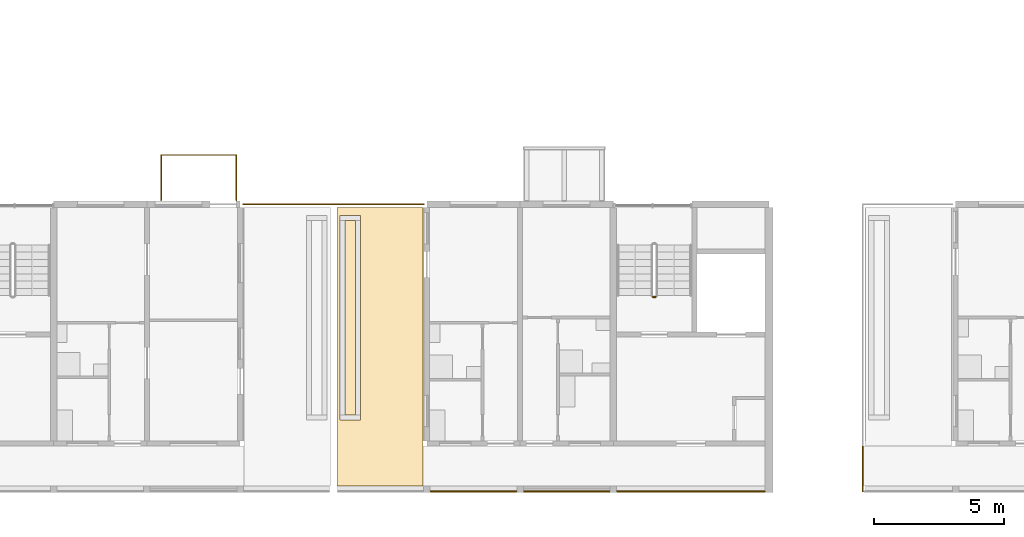
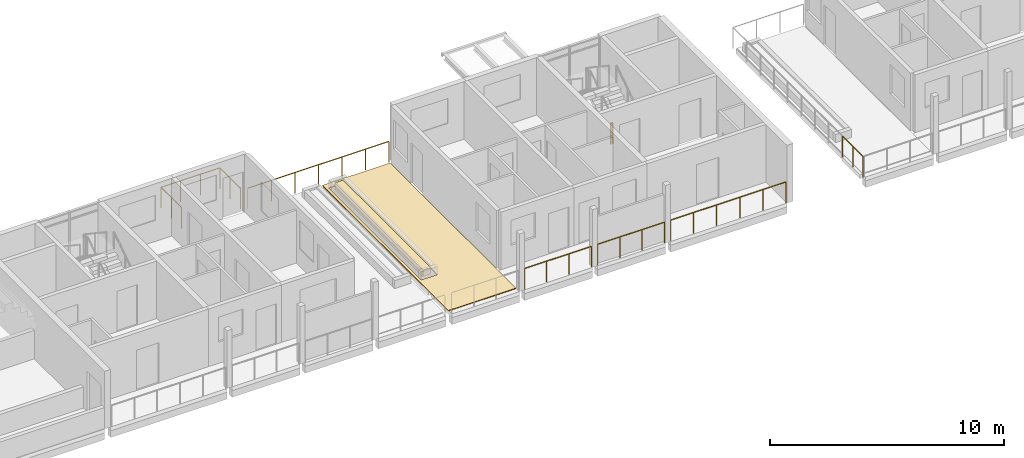
# One storey, part 48 of 55: 8 railings, 3 coverings.
"""IFC4 building model written with IfcOpenShell, lengths in metres."""

from ifc_helpers import new_model, si_unit, direction, frame, origin, origin_2d, place, context, subcontext, project, spatial, polyline, circle, outline, extrude, material, layer, layer_set, type_object, element, save


model = new_model("IFC4")

# Units and contexts
model_context = context("Model", 3, precision=1e-05, world=origin(), true_north=direction((0.0, 1.0)))
body_context = subcontext(model_context, "Body", "Model", "MODEL_VIEW")
ifc_project = project(units=[si_unit("LENGTHUNIT", "METRE"), si_unit("AREAUNIT", "SQUARE_METRE"), si_unit("VOLUMEUNIT", "CUBIC_METRE"), si_unit("PLANEANGLEUNIT", "RADIAN"), si_unit("MASSUNIT", "GRAM", prefix="KILO")], contexts=[model_context])

# Site, building, storey
site_placement = place(None, origin())
site = spatial("IfcSite", under=ifc_project, at=site_placement, CompositionType="ELEMENT")
building_placement = place(site_placement, origin())
building = spatial("IfcBuilding", under=site, at=building_placement, Name="Ridgestep Commons", CompositionType="ELEMENT")
storey_placement = place(building_placement, frame((0.0, 0.0, 36.0)))
storey = spatial("IfcBuildingStorey", under=building, at=storey_placement, Name="L12", CompositionType="ELEMENT", Elevation=36.0)

# Railings
ifc_material_1 = material(Name="Structural steel S355JR", Category="steel")
railing_type_1 = type_object("IfcRailingType", Name="Guard 1100", PredefinedType="GUARDRAIL", material=ifc_material_1)
railing_1_placement = place(storey_placement, frame((180.39990234375, 22.875, 0.0)))
element("IfcRailing", 1, at=railing_1_placement, inside=storey, type_object=railing_type_1, Name="Guard TD-D2R1-GD", PredefinedType="GUARDRAIL", context=body_context, shape_type="SweptSolid", body=[
    extrude(circle(Radius=0.02392578125, at=origin_2d()), frame((0.0, 0.0, 1.076171875), z_axis=(-1.0, 0.0, 0.0), x_axis=(0.0, -1.0, 0.0)), (0.0, 0.0, 1.0), 3.47900390625),
    extrude(circle(Radius=0.02099609375, at=origin_2d()), origin(), (0.0, 0.0, 1.0), 1.052001953125),
    extrude(circle(Radius=0.02099609375, at=origin_2d()), frame((-1.15966796875, 0.0, 0.0)), (0.0, 0.0, 1.0), 1.052001953125),
    extrude(circle(Radius=0.02099609375, at=origin_2d()), frame((-2.3193359375, 0.0, 0.0)), (0.0, 0.0, 1.0), 1.052001953125),
    extrude(circle(Radius=0.02099609375, at=origin_2d()), frame((-3.47900390625, 0.0, 0.0)), (0.0, 0.0, 1.0), 1.052001953125),
])
railing_2_placement = place(storey_placement, frame((180.39990234375, 22.875, 0.0)))
element("IfcRailing", 2, at=railing_2_placement, inside=storey, type_object=railing_type_1, Name="Guard TD-D3R1-GD", PredefinedType="GUARDRAIL", context=body_context, shape_type="SweptSolid", body=[
    extrude(circle(Radius=0.02392578125, at=origin_2d()), frame((0.0, 0.0, 1.076171875), z_axis=(1.0, 0.0, 0.0), x_axis=(0.0, 1.0, 0.0)), (0.0, 0.0, 1.0), 3.47900390625),
    extrude(circle(Radius=0.02099609375, at=origin_2d()), origin(), (0.0, 0.0, 1.0), 1.052001953125),
    extrude(circle(Radius=0.02099609375, at=origin_2d()), frame((1.15966796875, 0.0, 0.0)), (0.0, 0.0, 1.0), 1.052001953125),
    extrude(circle(Radius=0.02099609375, at=origin_2d()), frame((2.3193359375, 0.0, 0.0)), (0.0, 0.0, 1.0), 1.052001953125),
    extrude(circle(Radius=0.02099609375, at=origin_2d()), frame((3.47900390625, 0.0, 0.0)), (0.0, 0.0, 1.0), 1.052001953125),
])
railing_3_placement = place(storey_placement, frame((184.14599609375, 11.800048828125, 0.0)))
element("IfcRailing", 3, at=railing_3_placement, inside=storey, type_object=railing_type_1, Name="Gallery guard D 12.7", PredefinedType="GUARDRAIL", context=body_context, shape_type="SweptSolid", body=[
    extrude(circle(Radius=0.02392578125, at=origin_2d()), frame((0.0, 0.0, 1.076171875), z_axis=(1.0, 0.0, 0.0), x_axis=(0.0, 1.0, 0.0)), (0.0, 0.0, 1.0), 3.30810546875),
    extrude(circle(Radius=0.02099609375, at=origin_2d()), origin(), (0.0, 0.0, 1.0), 1.052001953125),
    extrude(circle(Radius=0.02099609375, at=origin_2d()), frame((1.102783203125, 0.0, 0.0)), (0.0, 0.0, 1.0), 1.052001953125),
    extrude(circle(Radius=0.02099609375, at=origin_2d()), frame((2.205322265625, 0.0, 0.0)), (0.0, 0.0, 1.0), 1.052001953125),
    extrude(circle(Radius=0.02099609375, at=origin_2d()), frame((3.30810546875, 0.0, 0.0)), (0.0, 0.0, 1.0), 1.052001953125),
])
railing_4_placement = place(storey_placement, frame((187.74609375, 11.800048828125, 0.0)))
element("IfcRailing", 4, at=railing_4_placement, inside=storey, type_object=railing_type_1, Name="Gallery guard D 12.8", PredefinedType="GUARDRAIL", context=body_context, shape_type="SweptSolid", body=[
    extrude(circle(Radius=0.02392578125, at=origin_2d()), frame((0.0, 0.0, 1.076171875), z_axis=(1.0, 0.0, 0.0), x_axis=(0.0, 1.0, 0.0)), (0.0, 0.0, 1.0), 3.307861328125),
    extrude(circle(Radius=0.02099609375, at=origin_2d()), origin(), (0.0, 0.0, 1.0), 1.052001953125),
    extrude(circle(Radius=0.02099609375, at=origin_2d()), frame((1.1025390625, 0.0, 0.0)), (0.0, 0.0, 1.0), 1.052001953125),
    extrude(circle(Radius=0.02099609375, at=origin_2d()), frame((2.205322265625, 0.0, 0.0)), (0.0, 0.0, 1.0), 1.052001953125),
    extrude(circle(Radius=0.02099609375, at=origin_2d()), frame((3.307861328125, 0.0, 0.0)), (0.0, 0.0, 1.0), 1.052001953125),
])
railing_5_placement = place(storey_placement, frame((191.345947265625, 11.800048828125, 0.0)))
element("IfcRailing", 5, at=railing_5_placement, inside=storey, type_object=railing_type_1, Name="Gallery guard D 12.9", PredefinedType="GUARDRAIL", context=body_context, shape_type="SweptSolid", body=[
    extrude(circle(Radius=0.02392578125, at=origin_2d()), frame((0.0, 0.0, 1.076171875), z_axis=(1.0, 0.0, 0.0), x_axis=(0.0, 1.0, 0.0)), (0.0, 0.0, 1.0), 5.68310546875),
    extrude(circle(Radius=0.02099609375, at=origin_2d()), origin(), (0.0, 0.0, 1.0), 1.052001953125),
    extrude(circle(Radius=0.02099609375, at=origin_2d()), frame((1.13671875, 0.0, 0.0)), (0.0, 0.0, 1.0), 1.052001953125),
    extrude(circle(Radius=0.02099609375, at=origin_2d()), frame((2.273193359375, 0.0, 0.0)), (0.0, 0.0, 1.0), 1.052001953125),
    extrude(circle(Radius=0.02099609375, at=origin_2d()), frame((3.409912109375, 0.0, 0.0)), (0.0, 0.0, 1.0), 1.052001953125),
    extrude(circle(Radius=0.02099609375, at=origin_2d()), frame((4.54638671875, 0.0, 0.0)), (0.0, 0.0, 1.0), 1.052001953125),
    extrude(circle(Radius=0.02099609375, at=origin_2d()), frame((5.68310546875, 0.0, 0.0)), (0.0, 0.0, 1.0), 1.052001953125),
])
railing_6_placement = place(storey_placement, frame((200.821044921875, 11.800048828125, 0.0)))
element("IfcRailing", 6, at=railing_6_placement, inside=storey, type_object=railing_type_1, Name="Gallery end guard D 12.1W", PredefinedType="GUARDRAIL", context=body_context, shape_type="SweptSolid", body=[
    extrude(circle(Radius=0.02392578125, at=origin_2d()), frame((0.0, 0.0, 1.076171875), z_axis=(0.0, 1.0, 0.0), x_axis=(-1.0, 0.0, 0.0)), (0.0, 0.0, 1.0), 1.72900390625),
    extrude(circle(Radius=0.02099609375, at=origin_2d()), origin(), (0.0, 0.0, 1.0), 1.052001953125),
    extrude(circle(Radius=0.02099609375, at=origin_2d()), frame((0.0, 0.864501953125, 0.0)), (0.0, 0.0, 1.0), 1.052001953125),
    extrude(circle(Radius=0.02099609375, at=origin_2d()), frame((0.0, 1.72900390625, 0.0)), (0.0, 0.0, 1.0), 1.052001953125),
])

# Covering
ifc_material_2 = material(Name="Planting soil")
ifc_layer_1 = layer(ifc_material_2, 0.35009765625)
ifc_layer_set_1 = layer_set([ifc_layer_1], Name="Planting soil 350")
covering_type_1 = type_object("IfcCoveringType", Name="Planting soil 350", PredefinedType="FLOORING", material=ifc_layer_set_1)
covering_1_placement = place(storey_placement, frame((0.0, 0.0, 0.010009765625)))
element("IfcCovering", 7, at=covering_1_placement, inside=storey, type_object=covering_type_1, Name="Planting soil D3R1", PredefinedType="FLOORING", context=body_context, shape_type="SweptSolid", body=[
    extrude(outline(polyline([(180.85009765625, 14.75), (181.25, 14.75), (181.25, 22.25), (180.85009765625, 22.25), (180.85009765625, 14.75)])), origin(), (0.0, 0.0, 1.0), 0.35009765625),
])

# Railing
ifc_material_3 = material(Name="Structural steel S355JR", Category="steel")
railing_type_2 = type_object("IfcRailingType", Name="Stair guard 1100", PredefinedType="GUARDRAIL", material=ifc_material_3)
railing_7_placement = place(storey_placement, frame((192.824951171875, 19.300048828125, 0.0)))
element("IfcRailing", 8, at=railing_7_placement, inside=storey, type_object=railing_type_2, Name="L12 D3C stair guard 4", PredefinedType="GUARDRAIL", context=body_context, shape_type="SweptSolid", body=[
    extrude(circle(Radius=0.02392578125, at=origin_2d()), frame((0.0, 0.0, 1.076171875), z_axis=(-1.0, 0.0, 0.0), x_axis=(0.0, -1.0, 0.0)), (0.0, 0.0, 1.0), 0.099853515625),
    extrude(circle(Radius=0.02099609375, at=origin_2d()), origin(), (0.0, 0.0, 1.0), 1.052001953125),
    extrude(circle(Radius=0.02099609375, at=origin_2d()), frame((-0.099853515625, 0.0, 0.0)), (0.0, 0.0, 1.0), 1.052001953125),
])

# Coverings
ifc_material_4 = material(Name="Bitumen membrane, two layer")
ifc_layer_2 = layer(ifc_material_4, 0.010009765625)
ifc_layer_set_2 = layer_set([ifc_layer_2], Name="Terrace membrane 10")
covering_type_2 = type_object("IfcCoveringType", Name="Terrace membrane 10", PredefinedType="ROOFING", material=ifc_layer_set_2)
covering_2_placement = place(storey_placement, origin())
element("IfcCovering", 9, at=covering_2_placement, inside=storey, type_object=covering_type_2, Name="Terrace membrane D3R1", PredefinedType="ROOFING", context=body_context, shape_type="SweptSolid", body=[
    extrude(outline(polyline([(183.85009765625, 12.0), (183.85009765625, 22.75), (180.52490234375, 22.75), (180.52490234375, 12.0), (183.85009765625, 12.0)]), holes=[polyline([(181.449951171875, 14.550048828125), (181.449951171875, 22.449951171875), (180.64990234375, 22.449951171875), (180.64990234375, 14.550048828125), (181.449951171875, 14.550048828125)])]), origin(), (0.0, 0.0, 1.0), 0.010009765625),
])
ifc_material_5 = material(Name="Concrete paving slab", Category="concrete")
ifc_layer_3 = layer(ifc_material_5, 0.030029296875)
ifc_layer_set_3 = layer_set([ifc_layer_3], Name="Terrace paving 30")
covering_type_3 = type_object("IfcCoveringType", Name="Terrace paving 30", PredefinedType="FLOORING", material=ifc_layer_set_3)
covering_3_placement = place(storey_placement, frame((0.0, 0.0, 0.010009765625)))
element("IfcCovering", 10, at=covering_3_placement, inside=storey, type_object=covering_type_3, Name="Terrace paving D3R1", PredefinedType="FLOORING", context=body_context, shape_type="SweptSolid", body=[
    extrude(outline(polyline([(183.85009765625, 12.0), (183.85009765625, 22.75), (180.52490234375, 22.75), (180.52490234375, 12.0), (183.85009765625, 12.0)]), holes=[polyline([(181.449951171875, 14.550048828125), (181.449951171875, 22.449951171875), (180.64990234375, 22.449951171875), (180.64990234375, 14.550048828125), (181.449951171875, 14.550048828125)])]), origin(), (0.0, 0.0, 1.0), 0.030029296875),
])

# Railing
ifc_material_6 = material(Name="Weathering steel S355J2W", Category="steel")
railing_type_3 = type_object("IfcRailingType", Name="Tray guard 1100", PredefinedType="GUARDRAIL", material=ifc_material_6)
railing_8_placement = place(storey_placement, frame((173.7509765625, 23.02099609375, 0.0)))
element("IfcRailing", 11, at=railing_8_placement, inside=storey, type_object=railing_type_3, Name="Tray guard D2T2-12", PredefinedType="GUARDRAIL", context=body_context, shape_type="SweptSolid", body=[
    extrude(circle(Radius=0.02392578125, at=origin_2d()), frame((0.0, 0.0, 1.076171875), z_axis=(0.0, 1.0, 0.0), x_axis=(-1.0, 0.0, 0.0)), (0.0, 0.0, 1.0), 1.758056640625),
    extrude(circle(Radius=0.02392578125, at=origin_2d()), frame((0.0, 1.758056640625, 1.076171875), z_axis=(1.0, 0.0, 0.0), x_axis=(0.0, 1.0, 0.0)), (0.0, 0.0, 1.0), 2.89794921875),
    extrude(circle(Radius=0.02392578125, at=origin_2d()), frame((2.89794921875, 1.758056640625, 1.076171875), z_axis=(0.0, -1.0, 0.0), x_axis=(1.0, 0.0, 0.0)), (0.0, 0.0, 1.0), 1.758056640625),
    extrude(circle(Radius=0.02099609375, at=origin_2d()), origin(), (0.0, 0.0, 1.0), 1.052001953125),
    extrude(circle(Radius=0.02099609375, at=origin_2d()), frame((0.0, 0.87890625, 0.0)), (0.0, 0.0, 1.0), 1.052001953125),
    extrude(circle(Radius=0.02099609375, at=origin_2d()), frame((0.0, 1.758056640625, 0.0)), (0.0, 0.0, 1.0), 1.052001953125),
    extrude(circle(Radius=0.02099609375, at=origin_2d()), frame((0.966064453125, 1.758056640625, 0.0)), (0.0, 0.0, 1.0), 1.052001953125),
    extrude(circle(Radius=0.02099609375, at=origin_2d()), frame((1.931884765625, 1.758056640625, 0.0)), (0.0, 0.0, 1.0), 1.052001953125),
    extrude(circle(Radius=0.02099609375, at=origin_2d()), frame((2.89794921875, 1.758056640625, 0.0)), (0.0, 0.0, 1.0), 1.052001953125),
    extrude(circle(Radius=0.02099609375, at=origin_2d()), frame((2.89794921875, 0.87890625, 0.0)), (0.0, 0.0, 1.0), 1.052001953125),
    extrude(circle(Radius=0.02099609375, at=origin_2d()), frame((2.89794921875, 0.0, 0.0)), (0.0, 0.0, 1.0), 1.052001953125),
])

save(model, "model.ifc")
